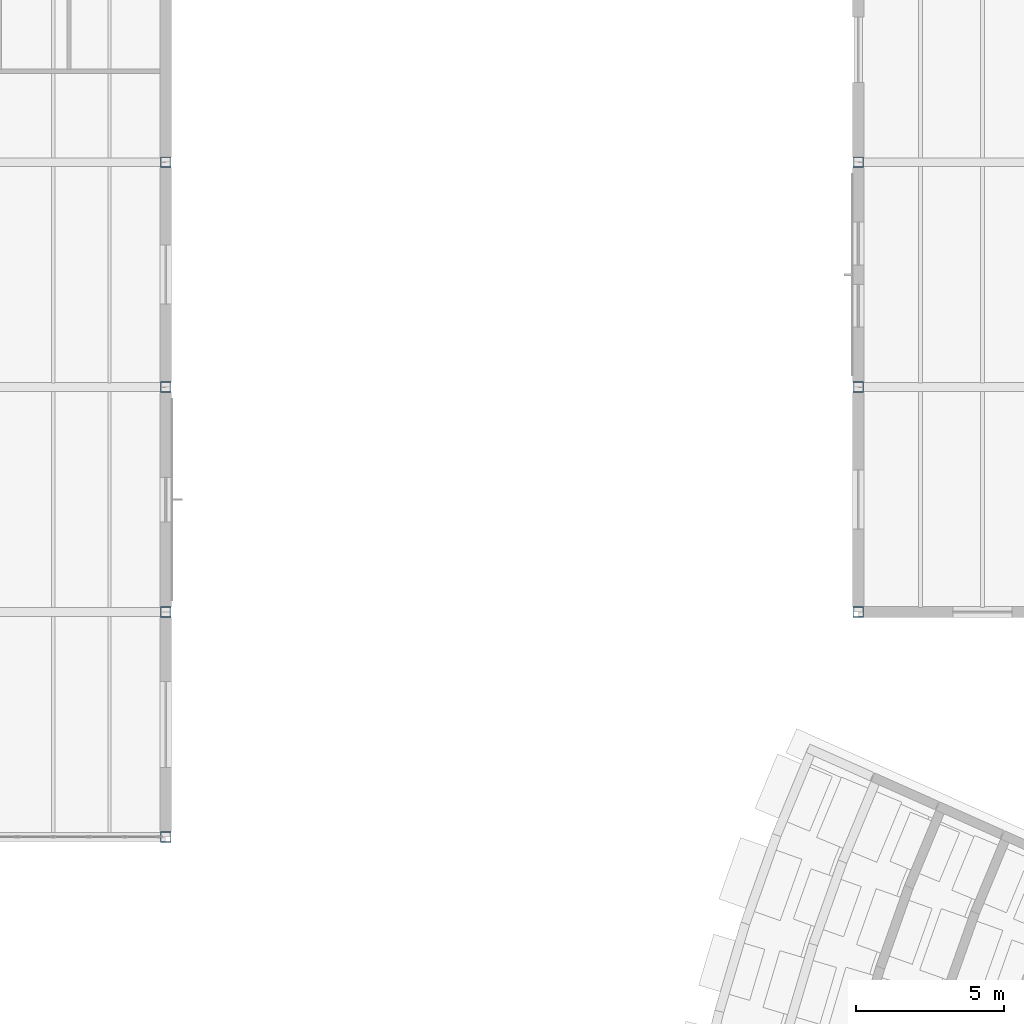
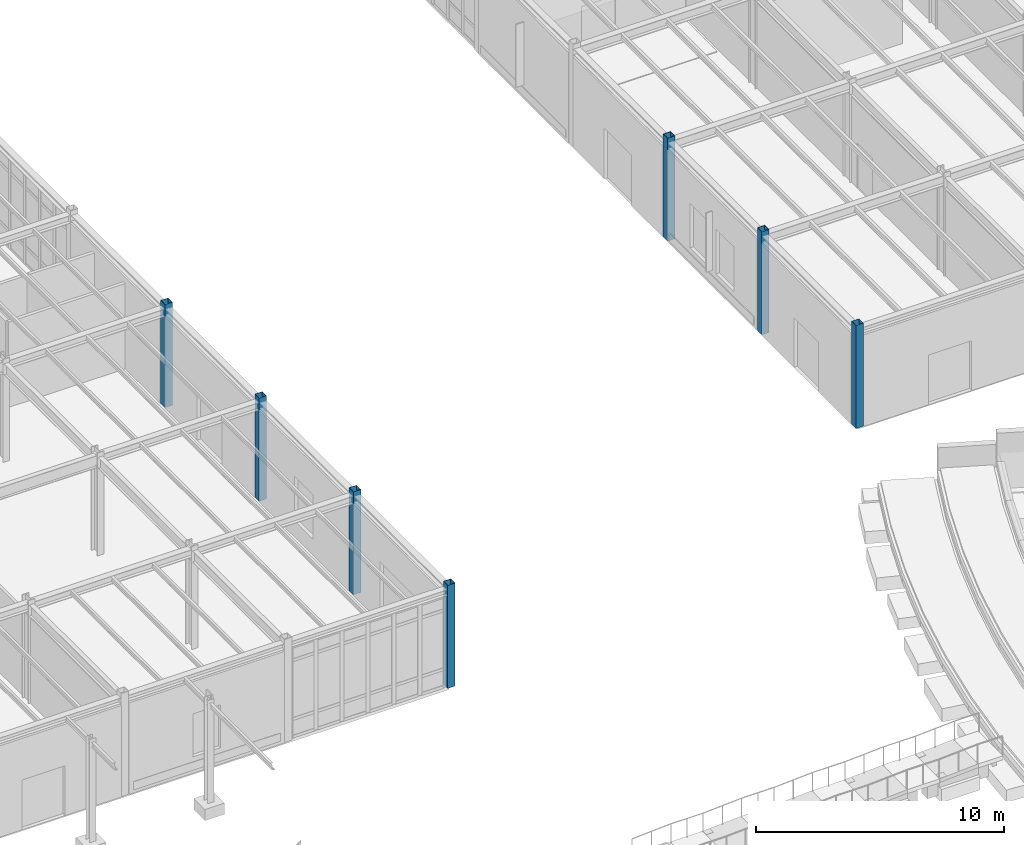
# One storey, part 14 of 109: 7 columns.
"""IFC4 building model written with IfcOpenShell, lengths in metres."""

from ifc_helpers import new_model, si_unit, direction, frame, origin, origin_2d, place, context, subcontext, project, spatial, hollow_rectangle, extrude, material, material_profile, profile_set, type_object, element, save


model = new_model("IFC4")

# Units and contexts
model_context = context("Model", 3, precision=1e-05, world=origin(), true_north=direction((0.0, 1.0)))
body_context = subcontext(model_context, "Body", "Model", "MODEL_VIEW")
ifc_project = project(units=[si_unit("LENGTHUNIT", "METRE"), si_unit("AREAUNIT", "SQUARE_METRE"), si_unit("VOLUMEUNIT", "CUBIC_METRE"), si_unit("PLANEANGLEUNIT", "RADIAN"), si_unit("MASSUNIT", "GRAM", prefix="KILO")], contexts=[model_context])

# Site, building, storey
site_placement = place(None, origin())
site = spatial("IfcSite", under=ifc_project, at=site_placement, CompositionType="ELEMENT")
building_placement = place(site_placement, origin())
building = spatial("IfcBuilding", under=site, at=building_placement, Name="Montecoro Central Library", CompositionType="ELEMENT")
storey_placement = place(building_placement, origin())
storey = spatial("IfcBuildingStorey", under=building, at=storey_placement, Name="L00", CompositionType="ELEMENT", Elevation=0.0)

# Columns
ifc_material = material(Name="Steel S355J2", Category="steel")
ifc_material_profile = material_profile(ifc_material, hollow_rectangle(XDim=0.35009765625, YDim=0.35009765625, WallThickness=0.01416015625, at=origin_2d()), Name="SHS 350x350x14.2")
ifc_profile_set = profile_set([ifc_material_profile], Name="Steel S355J2")
column_type = type_object("IfcColumnType", Name="COL-SHS350", PredefinedType="COLUMN", material=ifc_profile_set)
for number, where, z_axis, x_axis, name in (
    (1, (66.39990234375, 81.0, 0.0), (0.0, 0.0, 1.0), (1.0, 0.0, 0.0), "V2-L00-COL-9-L"),
    (2, (66.39990234375, 88.60009765625, 0.0), (0.0, 0.0, 1.0), (1.0, 0.0, 0.0), "V2-L00-COL-9-M"),
    (3, (66.39990234375, 96.199951171875, 0.0), (0.0, 0.0, 1.0), (1.0, 0.0, 0.0), "V2-L00-COL-9-N"),
    (4, (43.0, 73.39990234375, 0.0), (0.0, 0.0, 1.0), (1.0, 0.0, 0.0), "V4-L00-COL-6-K"),
    (5, (43.0, 81.0, 0.0), (0.0, 0.0, 1.0), (1.0, 0.0, 0.0), "V4-L00-COL-6-L"),
    (6, (43.0, 88.60009765625, 0.0), (0.0, 0.0, 1.0), (1.0, 0.0, 0.0), "V4-L00-COL-6-M"),
    (7, (43.0, 96.199951171875, 0.0), (0.0, 0.0, 1.0), (1.0, 0.0, 0.0), "V4-L00-COL-6-N"),
):
    element("IfcColumn", number, at=place(storey_placement, frame(where, z_axis=z_axis, x_axis=x_axis)), inside=storey, type_object=column_type, Name=name, PredefinedType="COLUMN", context=body_context, shape_type="SweptSolid", body=[
        extrude(hollow_rectangle(XDim=0.35009765625, YDim=0.35009765625, WallThickness=0.01416015625, at=origin_2d()), origin(), (0.0, 0.0, 1.0), 5.074951171875),
    ])

save(model, "model.ifc")
